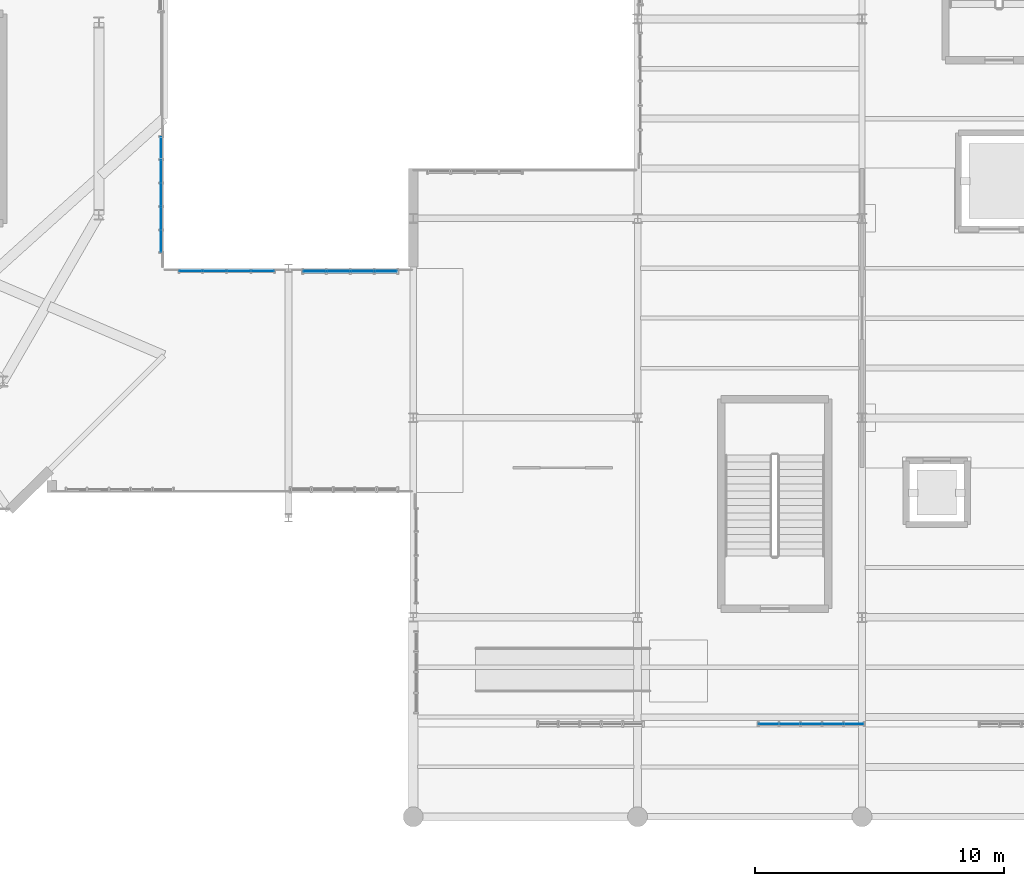
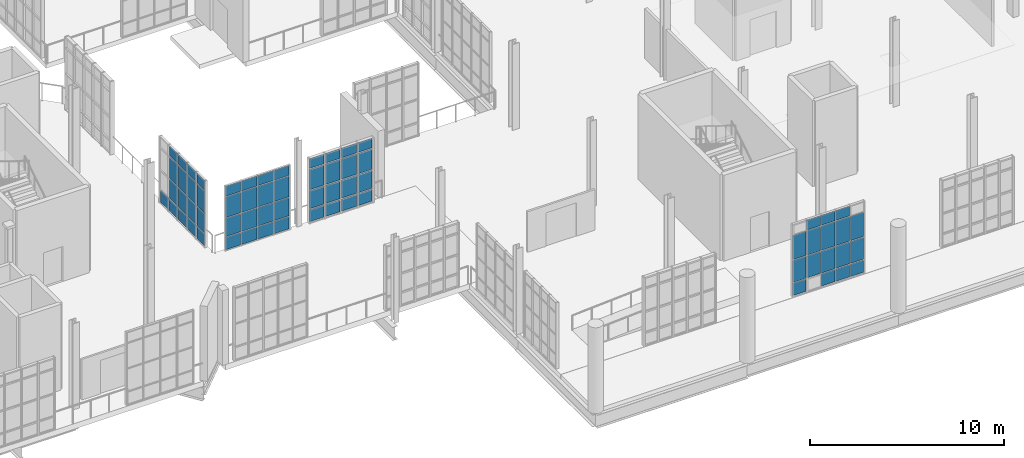
# One storey, part 150 of 189: 66 plates, 4 elements without a shape of their own.
"""IFC4 building model written with IfcOpenShell, lengths in metres."""

from ifc_helpers import new_model, si_unit, direction, frame, origin, origin_2d, place, context, subcontext, project, spatial, rectangle, extrude, material, layer, layer_set, type_object, element, aggregate, save


model = new_model("IFC4")

# Units and contexts
model_context = context("Model", 3, precision=1e-05, world=origin(), true_north=direction((0.0, 1.0)))
body_context = subcontext(model_context, "Body", "Model", "MODEL_VIEW")
ifc_project = project(units=[si_unit("LENGTHUNIT", "METRE"), si_unit("AREAUNIT", "SQUARE_METRE"), si_unit("VOLUMEUNIT", "CUBIC_METRE"), si_unit("PLANEANGLEUNIT", "RADIAN"), si_unit("MASSUNIT", "GRAM", prefix="KILO"), si_unit("THERMODYNAMICTEMPERATUREUNIT", "KELVIN"), si_unit("POWERUNIT", "WATT")], contexts=[model_context])

# Site, building, storey
site_placement = place(None, origin())
site = spatial("IfcSite", under=ifc_project, at=site_placement, CompositionType="ELEMENT")
building_placement = place(site_placement, origin())
building = spatial("IfcBuilding", under=site, at=building_placement, Name="Zelmaris Science Centre", CompositionType="ELEMENT")
storey_placement = place(building_placement, origin())
storey = spatial("IfcBuildingStorey", under=building, at=storey_placement, Name="L00", CompositionType="ELEMENT", Elevation=0.0)

# Curtain wall, plates
ifc_material_1 = material(Name="Anodised architectural aluminium 6063-T6", Category="aluminium")
ifc_layer_1 = layer(ifc_material_1, 0.18994140625, Name="Anodised architectural aluminium 6063-T6")
ifc_layer_set_1 = layer_set([ifc_layer_1], Name="Anodised architectural aluminium 6063-T6")
curtain_wall_type_1 = type_object("IfcCurtainWallType", Name="Curtain Wall CW-01", PredefinedType="USERDEFINED", material=ifc_layer_set_1)
curtain_wall_1_placement = place(storey_placement, origin())
curtain_wall_1 = element("IfcCurtainWall", 1, at=curtain_wall_1_placement, inside=storey, type_object=curtain_wall_type_1, Name="L00 Unitised curtain wall 65", ObjectType="GLAZED CURTAIN WALL", PredefinedType="USERDEFINED")
ifc_material_2 = material(Name="Laminated hurricane-rated low-E insulated glazing", Category="glass")
ifc_layer_2 = layer(ifc_material_2, 0.031982421875, Name="Laminated hurricane-rated low-E insulated glazing")
ifc_layer_set_2 = layer_set([ifc_layer_2], Name="Laminated hurricane-rated low-E insulated glazing")
plate_type_1 = type_object("IfcPlateType", Name="Curtain Glazing Panel CWP-1 32mm", PredefinedType="CURTAIN_PANEL", material=ifc_layer_set_2)
plate_1_placement = place(storey_placement, frame((104.0419921875, 29.882568359375, 0.05712890625), z_axis=(0.0, 0.0, 1.0), x_axis=(0.999999934623, -0.000361598249, 0.0)))
plate_1 = element("IfcPlate", 2, at=plate_1_placement, type_object=plate_type_1, Name="CW-01 panel 1.1", PredefinedType="CURTAIN_PANEL", context=body_context, shape_type="SweptSolid", body=[
    extrude(rectangle(XDim=0.85986328125, YDim=0.031982421875, at=origin_2d()), origin(), (0.0, 0.0, 1.0), 0.741943359375),
])
plate_2_placement = place(storey_placement, frame((104.0419921875, 29.882568359375, 0.870849609375), z_axis=(0.0, 0.0, 1.0), x_axis=(0.999999934623, -0.000361598249, 0.0)))
plate_2 = element("IfcPlate", 3, at=plate_2_placement, type_object=plate_type_1, Name="CW-01 panel 1.2", PredefinedType="CURTAIN_PANEL", context=body_context, shape_type="SweptSolid", body=[
    extrude(rectangle(XDim=0.85986328125, YDim=0.031982421875, at=origin_2d()), origin(), (0.0, 0.0, 1.0), 1.12255859375),
])
plate_3_placement = place(storey_placement, frame((104.0419921875, 29.882568359375, 2.0654296875), z_axis=(0.0, 0.0, 1.0), x_axis=(0.999999934623, -0.000361598249, 0.0)))
plate_3 = element("IfcPlate", 4, at=plate_3_placement, type_object=plate_type_1, Name="CW-01 panel 1.3", PredefinedType="CURTAIN_PANEL", context=body_context, shape_type="SweptSolid", body=[
    extrude(rectangle(XDim=0.85986328125, YDim=0.031982421875, at=origin_2d()), origin(), (0.0, 0.0, 1.0), 1.2724609375),
])
plate_4_placement = place(storey_placement, frame((104.0419921875, 29.882568359375, 3.41015625), z_axis=(0.0, 0.0, 1.0), x_axis=(0.999999934623, -0.000361598249, 0.0)))
plate_4 = element("IfcPlate", 5, at=plate_4_placement, type_object=plate_type_1, Name="CW-01 panel 1.4", PredefinedType="CURTAIN_PANEL", context=body_context, shape_type="SweptSolid", body=[
    extrude(rectangle(XDim=0.85986328125, YDim=0.031982421875, at=origin_2d()), origin(), (0.0, 0.0, 1.0), 0.592041015625),
])
plate_5_placement = place(storey_placement, frame((104.991943359375, 29.882080078125, 0.05712890625), z_axis=(0.0, 0.0, 1.0), x_axis=(0.999999934623, -0.000361598249, 0.0)))
plate_5 = element("IfcPlate", 6, at=plate_5_placement, type_object=plate_type_1, Name="CW-01 panel 2.1", PredefinedType="CURTAIN_PANEL", context=body_context, shape_type="SweptSolid", body=[
    extrude(rectangle(XDim=0.89599609375, YDim=0.031982421875, at=origin_2d()), origin(), (0.0, 0.0, 1.0), 0.741943359375),
])
plate_6_placement = place(storey_placement, frame((104.991943359375, 29.882080078125, 0.870849609375), z_axis=(0.0, 0.0, 1.0), x_axis=(0.999999934623, -0.000361598249, 0.0)))
plate_6 = element("IfcPlate", 7, at=plate_6_placement, type_object=plate_type_1, Name="CW-01 panel 2.2", PredefinedType="CURTAIN_PANEL", context=body_context, shape_type="SweptSolid", body=[
    extrude(rectangle(XDim=0.89599609375, YDim=0.031982421875, at=origin_2d()), origin(), (0.0, 0.0, 1.0), 1.12255859375),
])
plate_7_placement = place(storey_placement, frame((104.991943359375, 29.882080078125, 2.0654296875), z_axis=(0.0, 0.0, 1.0), x_axis=(0.999999934623, -0.000361598249, 0.0)))
plate_7 = element("IfcPlate", 8, at=plate_7_placement, type_object=plate_type_1, Name="CW-01 panel 2.3", PredefinedType="CURTAIN_PANEL", context=body_context, shape_type="SweptSolid", body=[
    extrude(rectangle(XDim=0.89599609375, YDim=0.031982421875, at=origin_2d()), origin(), (0.0, 0.0, 1.0), 1.2724609375),
])
plate_8_placement = place(storey_placement, frame((104.991943359375, 29.882080078125, 3.41015625), z_axis=(0.0, 0.0, 1.0), x_axis=(0.999999934623, -0.000361598249, 0.0)))
plate_8 = element("IfcPlate", 9, at=plate_8_placement, type_object=plate_type_1, Name="CW-01 panel 2.4", PredefinedType="CURTAIN_PANEL", context=body_context, shape_type="SweptSolid", body=[
    extrude(rectangle(XDim=0.89599609375, YDim=0.031982421875, at=origin_2d()), origin(), (0.0, 0.0, 1.0), 0.592041015625),
])
plate_9_placement = place(storey_placement, frame((105.959716796875, 29.8818359375, 0.05712890625), z_axis=(0.0, 0.0, 1.0), x_axis=(0.999999934623, -0.000361598249, 0.0)))
plate_9 = element("IfcPlate", 10, at=plate_9_placement, type_object=plate_type_1, Name="CW-01 panel 3.1", PredefinedType="CURTAIN_PANEL", context=body_context, shape_type="SweptSolid", body=[
    extrude(rectangle(XDim=0.89599609375, YDim=0.031982421875, at=origin_2d()), origin(), (0.0, 0.0, 1.0), 0.741943359375),
])
plate_10_placement = place(storey_placement, frame((105.959716796875, 29.8818359375, 0.870849609375), z_axis=(0.0, 0.0, 1.0), x_axis=(0.999999934623, -0.000361598249, 0.0)))
plate_10 = element("IfcPlate", 11, at=plate_10_placement, type_object=plate_type_1, Name="CW-01 panel 3.2", PredefinedType="CURTAIN_PANEL", context=body_context, shape_type="SweptSolid", body=[
    extrude(rectangle(XDim=0.89599609375, YDim=0.031982421875, at=origin_2d()), origin(), (0.0, 0.0, 1.0), 1.12255859375),
])
plate_11_placement = place(storey_placement, frame((105.959716796875, 29.8818359375, 2.0654296875), z_axis=(0.0, 0.0, 1.0), x_axis=(0.999999934623, -0.000361598249, 0.0)))
plate_11 = element("IfcPlate", 12, at=plate_11_placement, type_object=plate_type_1, Name="CW-01 panel 3.3", PredefinedType="CURTAIN_PANEL", context=body_context, shape_type="SweptSolid", body=[
    extrude(rectangle(XDim=0.89599609375, YDim=0.031982421875, at=origin_2d()), origin(), (0.0, 0.0, 1.0), 1.2724609375),
])
plate_12_placement = place(storey_placement, frame((105.959716796875, 29.8818359375, 3.41015625), z_axis=(0.0, 0.0, 1.0), x_axis=(0.999999934623, -0.000361598249, 0.0)))
plate_12 = element("IfcPlate", 13, at=plate_12_placement, type_object=plate_type_1, Name="CW-01 panel 3.4", PredefinedType="CURTAIN_PANEL", context=body_context, shape_type="SweptSolid", body=[
    extrude(rectangle(XDim=0.89599609375, YDim=0.031982421875, at=origin_2d()), origin(), (0.0, 0.0, 1.0), 0.592041015625),
])
plate_13_placement = place(storey_placement, frame((106.90966796875, 29.881591796875, 0.05712890625), z_axis=(0.0, 0.0, 1.0), x_axis=(0.999999934623, -0.000361598249, 0.0)))
plate_13 = element("IfcPlate", 14, at=plate_13_placement, type_object=plate_type_1, Name="CW-01 panel 4.1", PredefinedType="CURTAIN_PANEL", context=body_context, shape_type="SweptSolid", body=[
    extrude(rectangle(XDim=0.85986328125, YDim=0.031982421875, at=origin_2d()), origin(), (0.0, 0.0, 1.0), 0.741943359375),
])
plate_14_placement = place(storey_placement, frame((106.90966796875, 29.881591796875, 0.870849609375), z_axis=(0.0, 0.0, 1.0), x_axis=(0.999999934623, -0.000361598249, 0.0)))
plate_14 = element("IfcPlate", 15, at=plate_14_placement, type_object=plate_type_1, Name="CW-01 panel 4.2", PredefinedType="CURTAIN_PANEL", context=body_context, shape_type="SweptSolid", body=[
    extrude(rectangle(XDim=0.85986328125, YDim=0.031982421875, at=origin_2d()), origin(), (0.0, 0.0, 1.0), 1.12255859375),
])
plate_15_placement = place(storey_placement, frame((106.90966796875, 29.881591796875, 2.0654296875), z_axis=(0.0, 0.0, 1.0), x_axis=(0.999999934623, -0.000361598249, 0.0)))
plate_15 = element("IfcPlate", 16, at=plate_15_placement, type_object=plate_type_1, Name="CW-01 panel 4.3", PredefinedType="CURTAIN_PANEL", context=body_context, shape_type="SweptSolid", body=[
    extrude(rectangle(XDim=0.85986328125, YDim=0.031982421875, at=origin_2d()), origin(), (0.0, 0.0, 1.0), 1.2724609375),
])
plate_16_placement = place(storey_placement, frame((106.90966796875, 29.881591796875, 3.41015625), z_axis=(0.0, 0.0, 1.0), x_axis=(0.999999934623, -0.000361598249, 0.0)))
plate_16 = element("IfcPlate", 17, at=plate_16_placement, type_object=plate_type_1, Name="CW-01 panel 4.4", PredefinedType="CURTAIN_PANEL", context=body_context, shape_type="SweptSolid", body=[
    extrude(rectangle(XDim=0.85986328125, YDim=0.031982421875, at=origin_2d()), origin(), (0.0, 0.0, 1.0), 0.592041015625),
])
aggregate(curtain_wall_1, [plate_1, plate_2, plate_3, plate_4, plate_5, plate_6, plate_7, plate_8, plate_9, plate_10, plate_11, plate_12, plate_13, plate_14, plate_15, plate_16])

ifc_layer_3 = layer(ifc_material_1, 0.2099609375, Name="Anodised architectural aluminium 6063-T6")
ifc_layer_set_3 = layer_set([ifc_layer_3], Name="Anodised architectural aluminium 6063-T6")
curtain_wall_type_2 = type_object("IfcCurtainWallType", Name="Curtain Wall CW-03", PredefinedType="USERDEFINED", material=ifc_layer_set_3)
curtain_wall_2_placement = place(storey_placement, origin())
curtain_wall_2 = element("IfcCurtainWall", 18, at=curtain_wall_2_placement, inside=storey, type_object=curtain_wall_type_2, Name="L00 Unitised curtain wall 63", ObjectType="GLAZED CURTAIN WALL", PredefinedType="USERDEFINED")
ifc_layer_4 = layer(ifc_material_2, 0.02587890625, Name="Laminated hurricane-rated low-E insulated glazing")
ifc_layer_set_4 = layer_set([ifc_layer_4], Name="Laminated hurricane-rated low-E insulated glazing")
plate_type_2 = type_object("IfcPlateType", Name="Curtain Glazing Panel CWP-3 26mm", PredefinedType="CURTAIN_PANEL", material=ifc_layer_set_4)
plate_17_placement = place(storey_placement, frame((97.8798828125, 34.82177734375, 0.0419921875), z_axis=(0.0, 0.0, 1.0), x_axis=(0.0, -1.0, 0.0)))
plate_17 = element("IfcPlate", 19, at=plate_17_placement, type_object=plate_type_2, Name="CW-03 panel 1.1", PredefinedType="CURTAIN_PANEL", context=body_context, shape_type="SweptSolid", body=[
    extrude(rectangle(XDim=0.85595703125, YDim=0.02587890625, at=origin_2d()), origin(), (0.0, 0.0, 1.0), 0.764404296875),
])
plate_18_placement = place(storey_placement, frame((97.8798828125, 33.894775390625, 0.0419921875), z_axis=(0.0, 0.0, 1.0), x_axis=(0.0, -1.0, 0.0)))
plate_18 = element("IfcPlate", 20, at=plate_18_placement, type_object=plate_type_2, Name="CW-03 panel 2.1", PredefinedType="CURTAIN_PANEL", context=body_context, shape_type="SweptSolid", body=[
    extrude(rectangle(XDim=0.88427734375, YDim=0.02587890625, at=origin_2d()), origin(), (0.0, 0.0, 1.0), 0.764404296875),
])
plate_19_placement = place(storey_placement, frame((97.8798828125, 33.894775390625, 0.863525390625), z_axis=(0.0, 0.0, 1.0), x_axis=(0.0, -1.0, 0.0)))
plate_19 = element("IfcPlate", 21, at=plate_19_placement, type_object=plate_type_2, Name="CW-03 panel 2.2", PredefinedType="CURTAIN_PANEL", context=body_context, shape_type="SweptSolid", body=[
    extrude(rectangle(XDim=0.88427734375, YDim=0.02587890625, at=origin_2d()), origin(), (0.0, 0.0, 1.0), 1.205078125),
])
plate_20_placement = place(storey_placement, frame((97.8798828125, 33.894775390625, 2.12548828125), z_axis=(0.0, 0.0, 1.0), x_axis=(0.0, -1.0, 0.0)))
plate_20 = element("IfcPlate", 22, at=plate_20_placement, type_object=plate_type_2, Name="CW-03 panel 2.3", PredefinedType="CURTAIN_PANEL", context=body_context, shape_type="SweptSolid", body=[
    extrude(rectangle(XDim=0.88427734375, YDim=0.02587890625, at=origin_2d()), origin(), (0.0, 0.0, 1.0), 1.35498046875),
])
plate_21_placement = place(storey_placement, frame((97.8798828125, 33.894775390625, 3.53759765625), z_axis=(0.0, 0.0, 1.0), x_axis=(0.0, -1.0, 0.0)))
plate_21 = element("IfcPlate", 23, at=plate_21_placement, type_object=plate_type_2, Name="CW-03 panel 2.4", PredefinedType="CURTAIN_PANEL", context=body_context, shape_type="SweptSolid", body=[
    extrude(rectangle(XDim=0.88427734375, YDim=0.02587890625, at=origin_2d()), origin(), (0.0, 0.0, 1.0), 0.614501953125),
])
plate_22_placement = place(storey_placement, frame((97.8798828125, 32.953369140625, 0.0419921875), z_axis=(0.0, 0.0, 1.0), x_axis=(0.0, -1.0, 0.0)))
plate_22 = element("IfcPlate", 24, at=plate_22_placement, type_object=plate_type_2, Name="CW-03 panel 3.1", PredefinedType="CURTAIN_PANEL", context=body_context, shape_type="SweptSolid", body=[
    extrude(rectangle(XDim=0.88427734375, YDim=0.02587890625, at=origin_2d()), origin(), (0.0, 0.0, 1.0), 0.764404296875),
])
plate_23_placement = place(storey_placement, frame((97.8798828125, 32.953369140625, 0.863525390625), z_axis=(0.0, 0.0, 1.0), x_axis=(0.0, -1.0, 0.0)))
plate_23 = element("IfcPlate", 25, at=plate_23_placement, type_object=plate_type_2, Name="CW-03 panel 3.2", PredefinedType="CURTAIN_PANEL", context=body_context, shape_type="SweptSolid", body=[
    extrude(rectangle(XDim=0.88427734375, YDim=0.02587890625, at=origin_2d()), origin(), (0.0, 0.0, 1.0), 1.205078125),
])
plate_24_placement = place(storey_placement, frame((97.8798828125, 32.953369140625, 2.12548828125), z_axis=(0.0, 0.0, 1.0), x_axis=(0.0, -1.0, 0.0)))
plate_24 = element("IfcPlate", 26, at=plate_24_placement, type_object=plate_type_2, Name="CW-03 panel 3.3", PredefinedType="CURTAIN_PANEL", context=body_context, shape_type="SweptSolid", body=[
    extrude(rectangle(XDim=0.88427734375, YDim=0.02587890625, at=origin_2d()), origin(), (0.0, 0.0, 1.0), 1.35498046875),
])
plate_25_placement = place(storey_placement, frame((97.8798828125, 32.953369140625, 3.53759765625), z_axis=(0.0, 0.0, 1.0), x_axis=(0.0, -1.0, 0.0)))
plate_25 = element("IfcPlate", 27, at=plate_25_placement, type_object=plate_type_2, Name="CW-03 panel 3.4", PredefinedType="CURTAIN_PANEL", context=body_context, shape_type="SweptSolid", body=[
    extrude(rectangle(XDim=0.88427734375, YDim=0.02587890625, at=origin_2d()), origin(), (0.0, 0.0, 1.0), 0.614501953125),
])
plate_26_placement = place(storey_placement, frame((97.8798828125, 32.011962890625, 0.0419921875), z_axis=(0.0, 0.0, 1.0), x_axis=(0.0, -1.0, 0.0)))
plate_26 = element("IfcPlate", 28, at=plate_26_placement, type_object=plate_type_2, Name="CW-03 panel 4.1", PredefinedType="CURTAIN_PANEL", context=body_context, shape_type="SweptSolid", body=[
    extrude(rectangle(XDim=0.88427734375, YDim=0.02587890625, at=origin_2d()), origin(), (0.0, 0.0, 1.0), 0.764404296875),
])
plate_27_placement = place(storey_placement, frame((97.8798828125, 32.011962890625, 0.863525390625), z_axis=(0.0, 0.0, 1.0), x_axis=(0.0, -1.0, 0.0)))
plate_27 = element("IfcPlate", 29, at=plate_27_placement, type_object=plate_type_2, Name="CW-03 panel 4.2", PredefinedType="CURTAIN_PANEL", context=body_context, shape_type="SweptSolid", body=[
    extrude(rectangle(XDim=0.88427734375, YDim=0.02587890625, at=origin_2d()), origin(), (0.0, 0.0, 1.0), 1.205078125),
])
plate_28_placement = place(storey_placement, frame((97.8798828125, 32.011962890625, 2.12548828125), z_axis=(0.0, 0.0, 1.0), x_axis=(0.0, -1.0, 0.0)))
plate_28 = element("IfcPlate", 30, at=plate_28_placement, type_object=plate_type_2, Name="CW-03 panel 4.3", PredefinedType="CURTAIN_PANEL", context=body_context, shape_type="SweptSolid", body=[
    extrude(rectangle(XDim=0.88427734375, YDim=0.02587890625, at=origin_2d()), origin(), (0.0, 0.0, 1.0), 1.35498046875),
])
plate_29_placement = place(storey_placement, frame((97.8798828125, 32.011962890625, 3.53759765625), z_axis=(0.0, 0.0, 1.0), x_axis=(0.0, -1.0, 0.0)))
plate_29 = element("IfcPlate", 31, at=plate_29_placement, type_object=plate_type_2, Name="CW-03 panel 4.4", PredefinedType="CURTAIN_PANEL", context=body_context, shape_type="SweptSolid", body=[
    extrude(rectangle(XDim=0.88427734375, YDim=0.02587890625, at=origin_2d()), origin(), (0.0, 0.0, 1.0), 0.614501953125),
])
plate_30_placement = place(storey_placement, frame((97.8798828125, 31.0849609375, 0.0419921875), z_axis=(0.0, 0.0, 1.0), x_axis=(0.0, -1.0, 0.0)))
plate_30 = element("IfcPlate", 32, at=plate_30_placement, type_object=plate_type_2, Name="CW-03 panel 5.1", PredefinedType="CURTAIN_PANEL", context=body_context, shape_type="SweptSolid", body=[
    extrude(rectangle(XDim=0.85595703125, YDim=0.02587890625, at=origin_2d()), origin(), (0.0, 0.0, 1.0), 0.764404296875),
])
plate_31_placement = place(storey_placement, frame((97.8798828125, 31.0849609375, 0.863525390625), z_axis=(0.0, 0.0, 1.0), x_axis=(0.0, -1.0, 0.0)))
plate_31 = element("IfcPlate", 33, at=plate_31_placement, type_object=plate_type_2, Name="CW-03 panel 5.2", PredefinedType="CURTAIN_PANEL", context=body_context, shape_type="SweptSolid", body=[
    extrude(rectangle(XDim=0.85595703125, YDim=0.02587890625, at=origin_2d()), origin(), (0.0, 0.0, 1.0), 1.205078125),
])
plate_32_placement = place(storey_placement, frame((97.8798828125, 31.0849609375, 2.12548828125), z_axis=(0.0, 0.0, 1.0), x_axis=(0.0, -1.0, 0.0)))
plate_32 = element("IfcPlate", 34, at=plate_32_placement, type_object=plate_type_2, Name="CW-03 panel 5.3", PredefinedType="CURTAIN_PANEL", context=body_context, shape_type="SweptSolid", body=[
    extrude(rectangle(XDim=0.85595703125, YDim=0.02587890625, at=origin_2d()), origin(), (0.0, 0.0, 1.0), 1.35498046875),
])
plate_33_placement = place(storey_placement, frame((97.8798828125, 31.0849609375, 3.53759765625), z_axis=(0.0, 0.0, 1.0), x_axis=(0.0, -1.0, 0.0)))
plate_33 = element("IfcPlate", 35, at=plate_33_placement, type_object=plate_type_2, Name="CW-03 panel 5.4", PredefinedType="CURTAIN_PANEL", context=body_context, shape_type="SweptSolid", body=[
    extrude(rectangle(XDim=0.85595703125, YDim=0.02587890625, at=origin_2d()), origin(), (0.0, 0.0, 1.0), 0.614501953125),
])
aggregate(curtain_wall_2, [plate_17, plate_18, plate_19, plate_20, plate_21, plate_22, plate_23, plate_24, plate_25, plate_26, plate_27, plate_28, plate_29, plate_30, plate_31, plate_32, plate_33])

curtain_wall_3_placement = place(storey_placement, origin())
curtain_wall_3 = element("IfcCurtainWall", 36, at=curtain_wall_3_placement, inside=storey, type_object=curtain_wall_type_2, Name="L00 Unitised curtain wall 107", ObjectType="GLAZED CURTAIN WALL", PredefinedType="USERDEFINED")
plate_34_placement = place(storey_placement, frame((125.67041015625, 11.72021484375, 0.0419921875), z_axis=(0.0, 0.0, 1.0), x_axis=(-1.0, 0.0, 0.0)))
plate_34 = element("IfcPlate", 37, at=plate_34_placement, type_object=plate_type_2, Name="CW-03 panel 1.1", PredefinedType="CURTAIN_PANEL", context=body_context, shape_type="SweptSolid", body=[
    extrude(rectangle(XDim=0.775146484375, YDim=0.02587890625, at=origin_2d()), origin(), (0.0, 0.0, 1.0), 0.764404296875),
])
plate_35_placement = place(storey_placement, frame((125.67041015625, 11.72021484375, 0.863525390625), z_axis=(0.0, 0.0, 1.0), x_axis=(-1.0, 0.0, 0.0)))
plate_35 = element("IfcPlate", 38, at=plate_35_placement, type_object=plate_type_2, Name="CW-03 panel 1.2", PredefinedType="CURTAIN_PANEL", context=body_context, shape_type="SweptSolid", body=[
    extrude(rectangle(XDim=0.775146484375, YDim=0.02587890625, at=origin_2d()), origin(), (0.0, 0.0, 1.0), 1.3701171875),
])
plate_36_placement = place(storey_placement, frame((125.67041015625, 11.72021484375, 2.29052734375), z_axis=(0.0, 0.0, 1.0), x_axis=(-1.0, 0.0, 0.0)))
plate_36 = element("IfcPlate", 39, at=plate_36_placement, type_object=plate_type_2, Name="CW-03 panel 1.3", PredefinedType="CURTAIN_PANEL", context=body_context, shape_type="SweptSolid", body=[
    extrude(rectangle(XDim=0.775146484375, YDim=0.02587890625, at=origin_2d()), origin(), (0.0, 0.0, 1.0), 1.52001953125),
])
plate_37_placement = place(storey_placement, frame((124.823974609375, 11.72021484375, 0.0419921875), z_axis=(0.0, 0.0, 1.0), x_axis=(-1.0, 0.0, 0.0)))
plate_37 = element("IfcPlate", 40, at=plate_37_placement, type_object=plate_type_2, Name="CW-03 panel 2.1", PredefinedType="CURTAIN_PANEL", context=body_context, shape_type="SweptSolid", body=[
    extrude(rectangle(XDim=0.8037109375, YDim=0.02587890625, at=origin_2d()), origin(), (0.0, 0.0, 1.0), 0.764404296875),
])
plate_38_placement = place(storey_placement, frame((124.823974609375, 11.72021484375, 0.863525390625), z_axis=(0.0, 0.0, 1.0), x_axis=(-1.0, 0.0, 0.0)))
plate_38 = element("IfcPlate", 41, at=plate_38_placement, type_object=plate_type_2, Name="CW-03 panel 2.2", PredefinedType="CURTAIN_PANEL", context=body_context, shape_type="SweptSolid", body=[
    extrude(rectangle(XDim=0.8037109375, YDim=0.02587890625, at=origin_2d()), origin(), (0.0, 0.0, 1.0), 1.3701171875),
])
plate_39_placement = place(storey_placement, frame((124.823974609375, 11.72021484375, 2.29052734375), z_axis=(0.0, 0.0, 1.0), x_axis=(-1.0, 0.0, 0.0)))
plate_39 = element("IfcPlate", 42, at=plate_39_placement, type_object=plate_type_2, Name="CW-03 panel 2.3", PredefinedType="CURTAIN_PANEL", context=body_context, shape_type="SweptSolid", body=[
    extrude(rectangle(XDim=0.8037109375, YDim=0.02587890625, at=origin_2d()), origin(), (0.0, 0.0, 1.0), 1.52001953125),
])
plate_40_placement = place(storey_placement, frame((124.823974609375, 11.72021484375, 3.86767578125), z_axis=(0.0, 0.0, 1.0), x_axis=(-1.0, 0.0, 0.0)))
plate_40 = element("IfcPlate", 43, at=plate_40_placement, type_object=plate_type_2, Name="CW-03 panel 2.4", PredefinedType="CURTAIN_PANEL", context=body_context, shape_type="SweptSolid", body=[
    extrude(rectangle(XDim=0.8037109375, YDim=0.02587890625, at=origin_2d()), origin(), (0.0, 0.0, 1.0), 0.614501953125),
])
plate_41_placement = place(storey_placement, frame((123.963134765625, 11.72021484375, 0.0419921875), z_axis=(0.0, 0.0, 1.0), x_axis=(-1.0, 0.0, 0.0)))
plate_41 = element("IfcPlate", 44, at=plate_41_placement, type_object=plate_type_2, Name="CW-03 panel 3.1", PredefinedType="CURTAIN_PANEL", context=body_context, shape_type="SweptSolid", body=[
    extrude(rectangle(XDim=0.8037109375, YDim=0.02587890625, at=origin_2d()), origin(), (0.0, 0.0, 1.0), 0.764404296875),
])
plate_42_placement = place(storey_placement, frame((123.963134765625, 11.72021484375, 0.863525390625), z_axis=(0.0, 0.0, 1.0), x_axis=(-1.0, 0.0, 0.0)))
plate_42 = element("IfcPlate", 45, at=plate_42_placement, type_object=plate_type_2, Name="CW-03 panel 3.2", PredefinedType="CURTAIN_PANEL", context=body_context, shape_type="SweptSolid", body=[
    extrude(rectangle(XDim=0.8037109375, YDim=0.02587890625, at=origin_2d()), origin(), (0.0, 0.0, 1.0), 1.3701171875),
])
plate_43_placement = place(storey_placement, frame((123.963134765625, 11.72021484375, 2.29052734375), z_axis=(0.0, 0.0, 1.0), x_axis=(-1.0, 0.0, 0.0)))
plate_43 = element("IfcPlate", 46, at=plate_43_placement, type_object=plate_type_2, Name="CW-03 panel 3.3", PredefinedType="CURTAIN_PANEL", context=body_context, shape_type="SweptSolid", body=[
    extrude(rectangle(XDim=0.8037109375, YDim=0.02587890625, at=origin_2d()), origin(), (0.0, 0.0, 1.0), 1.52001953125),
])
plate_44_placement = place(storey_placement, frame((123.963134765625, 11.72021484375, 3.86767578125), z_axis=(0.0, 0.0, 1.0), x_axis=(-1.0, 0.0, 0.0)))
plate_44 = element("IfcPlate", 47, at=plate_44_placement, type_object=plate_type_2, Name="CW-03 panel 3.4", PredefinedType="CURTAIN_PANEL", context=body_context, shape_type="SweptSolid", body=[
    extrude(rectangle(XDim=0.8037109375, YDim=0.02587890625, at=origin_2d()), origin(), (0.0, 0.0, 1.0), 0.614501953125),
])
plate_45_placement = place(storey_placement, frame((123.102294921875, 11.72021484375, 0.863525390625), z_axis=(0.0, 0.0, 1.0), x_axis=(-1.0, 0.0, 0.0)))
plate_45 = element("IfcPlate", 48, at=plate_45_placement, type_object=plate_type_2, Name="CW-03 panel 4.2", PredefinedType="CURTAIN_PANEL", context=body_context, shape_type="SweptSolid", body=[
    extrude(rectangle(XDim=0.8037109375, YDim=0.02587890625, at=origin_2d()), origin(), (0.0, 0.0, 1.0), 1.3701171875),
])
plate_46_placement = place(storey_placement, frame((123.102294921875, 11.72021484375, 2.29052734375), z_axis=(0.0, 0.0, 1.0), x_axis=(-1.0, 0.0, 0.0)))
plate_46 = element("IfcPlate", 49, at=plate_46_placement, type_object=plate_type_2, Name="CW-03 panel 4.3", PredefinedType="CURTAIN_PANEL", context=body_context, shape_type="SweptSolid", body=[
    extrude(rectangle(XDim=0.8037109375, YDim=0.02587890625, at=origin_2d()), origin(), (0.0, 0.0, 1.0), 1.52001953125),
])
plate_47_placement = place(storey_placement, frame((123.102294921875, 11.72021484375, 3.86767578125), z_axis=(0.0, 0.0, 1.0), x_axis=(-1.0, 0.0, 0.0)))
plate_47 = element("IfcPlate", 50, at=plate_47_placement, type_object=plate_type_2, Name="CW-03 panel 4.4", PredefinedType="CURTAIN_PANEL", context=body_context, shape_type="SweptSolid", body=[
    extrude(rectangle(XDim=0.8037109375, YDim=0.02587890625, at=origin_2d()), origin(), (0.0, 0.0, 1.0), 0.614501953125),
])
plate_48_placement = place(storey_placement, frame((122.255859375, 11.72021484375, 0.0419921875), z_axis=(0.0, 0.0, 1.0), x_axis=(-1.0, 0.0, 0.0)))
plate_48 = element("IfcPlate", 51, at=plate_48_placement, type_object=plate_type_2, Name="CW-03 panel 5.1", PredefinedType="CURTAIN_PANEL", context=body_context, shape_type="SweptSolid", body=[
    extrude(rectangle(XDim=0.775146484375, YDim=0.02587890625, at=origin_2d()), origin(), (0.0, 0.0, 1.0), 0.764404296875),
])
plate_49_placement = place(storey_placement, frame((122.255859375, 11.72021484375, 0.863525390625), z_axis=(0.0, 0.0, 1.0), x_axis=(-1.0, 0.0, 0.0)))
plate_49 = element("IfcPlate", 52, at=plate_49_placement, type_object=plate_type_2, Name="CW-03 panel 5.2", PredefinedType="CURTAIN_PANEL", context=body_context, shape_type="SweptSolid", body=[
    extrude(rectangle(XDim=0.775146484375, YDim=0.02587890625, at=origin_2d()), origin(), (0.0, 0.0, 1.0), 1.3701171875),
])
plate_50_placement = place(storey_placement, frame((122.255859375, 11.72021484375, 2.29052734375), z_axis=(0.0, 0.0, 1.0), x_axis=(-1.0, 0.0, 0.0)))
plate_50 = element("IfcPlate", 53, at=plate_50_placement, type_object=plate_type_2, Name="CW-03 panel 5.3", PredefinedType="CURTAIN_PANEL", context=body_context, shape_type="SweptSolid", body=[
    extrude(rectangle(XDim=0.775146484375, YDim=0.02587890625, at=origin_2d()), origin(), (0.0, 0.0, 1.0), 1.52001953125),
])
aggregate(curtain_wall_3, [plate_34, plate_35, plate_36, plate_37, plate_38, plate_39, plate_40, plate_41, plate_42, plate_43, plate_44, plate_45, plate_46, plate_47, plate_48, plate_49, plate_50])

ifc_layer_5 = layer(ifc_material_1, 0.219970703125, Name="Anodised architectural aluminium 6063-T6")
ifc_layer_set_5 = layer_set([ifc_layer_5], Name="Anodised architectural aluminium 6063-T6")
curtain_wall_type_3 = type_object("IfcCurtainWallType", Name="Curtain Wall CW-04", PredefinedType="USERDEFINED", material=ifc_layer_set_5)
curtain_wall_4_placement = place(storey_placement, origin())
curtain_wall_4 = element("IfcCurtainWall", 54, at=curtain_wall_4_placement, inside=storey, type_object=curtain_wall_type_3, Name="L00 Unitised curtain wall 64", ObjectType="GLAZED CURTAIN WALL", PredefinedType="USERDEFINED")
ifc_layer_6 = layer(ifc_material_2, 0.02392578125, Name="Laminated hurricane-rated low-E insulated glazing")
ifc_layer_set_6 = layer_set([ifc_layer_6], Name="Laminated hurricane-rated low-E insulated glazing")
plate_type_3 = type_object("IfcPlateType", Name="Curtain Glazing Panel CWP-4 24mm", PredefinedType="CURTAIN_PANEL", material=ifc_layer_set_6)
plate_51_placement = place(storey_placement, frame((99.075439453125, 29.88427734375, 0.037109375), z_axis=(0.0, 0.0, 1.0), x_axis=(0.999999935003, -0.000360545938, 0.0)))
plate_51 = element("IfcPlate", 55, at=plate_51_placement, type_object=plate_type_3, Name="CW-04 panel 1.1", PredefinedType="CURTAIN_PANEL", context=body_context, shape_type="SweptSolid", body=[
    extrude(rectangle(XDim=0.892822265625, YDim=0.02392578125, at=origin_2d()), origin(), (0.0, 0.0, 1.0), 0.77197265625),
])
plate_52_placement = place(storey_placement, frame((99.075439453125, 29.88427734375, 0.86083984375), z_axis=(0.0, 0.0, 1.0), x_axis=(0.999999935003, -0.000360545938, 0.0)))
plate_52 = element("IfcPlate", 56, at=plate_52_placement, type_object=plate_type_3, Name="CW-04 panel 1.2", PredefinedType="CURTAIN_PANEL", context=body_context, shape_type="SweptSolid", body=[
    extrude(rectangle(XDim=0.892822265625, YDim=0.02392578125, at=origin_2d()), origin(), (0.0, 0.0, 1.0), 1.142578125),
])
plate_53_placement = place(storey_placement, frame((99.075439453125, 29.88427734375, 2.055419921875), z_axis=(0.0, 0.0, 1.0), x_axis=(0.999999935003, -0.000360545938, 0.0)))
plate_53 = element("IfcPlate", 57, at=plate_53_placement, type_object=plate_type_3, Name="CW-04 panel 1.3", PredefinedType="CURTAIN_PANEL", context=body_context, shape_type="SweptSolid", body=[
    extrude(rectangle(XDim=0.892822265625, YDim=0.02392578125, at=origin_2d()), origin(), (0.0, 0.0, 1.0), 1.29248046875),
])
plate_54_placement = place(storey_placement, frame((99.075439453125, 29.88427734375, 3.39990234375), z_axis=(0.0, 0.0, 1.0), x_axis=(0.999999935003, -0.000360545938, 0.0)))
plate_54 = element("IfcPlate", 58, at=plate_54_placement, type_object=plate_type_3, Name="CW-04 panel 1.4", PredefinedType="CURTAIN_PANEL", context=body_context, shape_type="SweptSolid", body=[
    extrude(rectangle(XDim=0.892822265625, YDim=0.02392578125, at=origin_2d()), origin(), (0.0, 0.0, 1.0), 0.6220703125),
])
plate_55_placement = place(storey_placement, frame((100.033203125, 29.8837890625, 0.037109375), z_axis=(0.0, 0.0, 1.0), x_axis=(0.999999935003, -0.000360545938, 0.0)))
plate_55 = element("IfcPlate", 59, at=plate_55_placement, type_object=plate_type_3, Name="CW-04 panel 2.1", PredefinedType="CURTAIN_PANEL", context=body_context, shape_type="SweptSolid", body=[
    extrude(rectangle(XDim=0.918701171875, YDim=0.02392578125, at=origin_2d()), origin(), (0.0, 0.0, 1.0), 0.77197265625),
])
plate_56_placement = place(storey_placement, frame((100.033203125, 29.8837890625, 0.86083984375), z_axis=(0.0, 0.0, 1.0), x_axis=(0.999999935003, -0.000360545938, 0.0)))
plate_56 = element("IfcPlate", 60, at=plate_56_placement, type_object=plate_type_3, Name="CW-04 panel 2.2", PredefinedType="CURTAIN_PANEL", context=body_context, shape_type="SweptSolid", body=[
    extrude(rectangle(XDim=0.918701171875, YDim=0.02392578125, at=origin_2d()), origin(), (0.0, 0.0, 1.0), 1.142578125),
])
plate_57_placement = place(storey_placement, frame((100.033203125, 29.8837890625, 2.055419921875), z_axis=(0.0, 0.0, 1.0), x_axis=(0.999999935003, -0.000360545938, 0.0)))
plate_57 = element("IfcPlate", 61, at=plate_57_placement, type_object=plate_type_3, Name="CW-04 panel 2.3", PredefinedType="CURTAIN_PANEL", context=body_context, shape_type="SweptSolid", body=[
    extrude(rectangle(XDim=0.918701171875, YDim=0.02392578125, at=origin_2d()), origin(), (0.0, 0.0, 1.0), 1.29248046875),
])
plate_58_placement = place(storey_placement, frame((100.033203125, 29.8837890625, 3.39990234375), z_axis=(0.0, 0.0, 1.0), x_axis=(0.999999935003, -0.000360545938, 0.0)))
plate_58 = element("IfcPlate", 62, at=plate_58_placement, type_object=plate_type_3, Name="CW-04 panel 2.4", PredefinedType="CURTAIN_PANEL", context=body_context, shape_type="SweptSolid", body=[
    extrude(rectangle(XDim=0.918701171875, YDim=0.02392578125, at=origin_2d()), origin(), (0.0, 0.0, 1.0), 0.6220703125),
])
plate_59_placement = place(storey_placement, frame((101.00390625, 29.883544921875, 0.037109375), z_axis=(0.0, 0.0, 1.0), x_axis=(0.999999935003, -0.000360545938, 0.0)))
plate_59 = element("IfcPlate", 63, at=plate_59_placement, type_object=plate_type_3, Name="CW-04 panel 3.1", PredefinedType="CURTAIN_PANEL", context=body_context, shape_type="SweptSolid", body=[
    extrude(rectangle(XDim=0.918701171875, YDim=0.02392578125, at=origin_2d()), origin(), (0.0, 0.0, 1.0), 0.77197265625),
])
plate_60_placement = place(storey_placement, frame((101.00390625, 29.883544921875, 0.86083984375), z_axis=(0.0, 0.0, 1.0), x_axis=(0.999999935003, -0.000360545938, 0.0)))
plate_60 = element("IfcPlate", 64, at=plate_60_placement, type_object=plate_type_3, Name="CW-04 panel 3.2", PredefinedType="CURTAIN_PANEL", context=body_context, shape_type="SweptSolid", body=[
    extrude(rectangle(XDim=0.918701171875, YDim=0.02392578125, at=origin_2d()), origin(), (0.0, 0.0, 1.0), 1.142578125),
])
plate_61_placement = place(storey_placement, frame((101.00390625, 29.883544921875, 2.055419921875), z_axis=(0.0, 0.0, 1.0), x_axis=(0.999999935003, -0.000360545938, 0.0)))
plate_61 = element("IfcPlate", 65, at=plate_61_placement, type_object=plate_type_3, Name="CW-04 panel 3.3", PredefinedType="CURTAIN_PANEL", context=body_context, shape_type="SweptSolid", body=[
    extrude(rectangle(XDim=0.918701171875, YDim=0.02392578125, at=origin_2d()), origin(), (0.0, 0.0, 1.0), 1.29248046875),
])
plate_62_placement = place(storey_placement, frame((101.00390625, 29.883544921875, 3.39990234375), z_axis=(0.0, 0.0, 1.0), x_axis=(0.999999935003, -0.000360545938, 0.0)))
plate_62 = element("IfcPlate", 66, at=plate_62_placement, type_object=plate_type_3, Name="CW-04 panel 3.4", PredefinedType="CURTAIN_PANEL", context=body_context, shape_type="SweptSolid", body=[
    extrude(rectangle(XDim=0.918701171875, YDim=0.02392578125, at=origin_2d()), origin(), (0.0, 0.0, 1.0), 0.6220703125),
])
plate_63_placement = place(storey_placement, frame((101.961669921875, 29.88330078125, 0.037109375), z_axis=(0.0, 0.0, 1.0), x_axis=(0.999999935003, -0.000360545938, 0.0)))
plate_63 = element("IfcPlate", 67, at=plate_63_placement, type_object=plate_type_3, Name="CW-04 panel 4.1", PredefinedType="CURTAIN_PANEL", context=body_context, shape_type="SweptSolid", body=[
    extrude(rectangle(XDim=0.892822265625, YDim=0.02392578125, at=origin_2d()), origin(), (0.0, 0.0, 1.0), 0.77197265625),
])
plate_64_placement = place(storey_placement, frame((101.961669921875, 29.88330078125, 0.86083984375), z_axis=(0.0, 0.0, 1.0), x_axis=(0.999999935003, -0.000360545938, 0.0)))
plate_64 = element("IfcPlate", 68, at=plate_64_placement, type_object=plate_type_3, Name="CW-04 panel 4.2", PredefinedType="CURTAIN_PANEL", context=body_context, shape_type="SweptSolid", body=[
    extrude(rectangle(XDim=0.892822265625, YDim=0.02392578125, at=origin_2d()), origin(), (0.0, 0.0, 1.0), 1.142578125),
])
plate_65_placement = place(storey_placement, frame((101.961669921875, 29.88330078125, 2.055419921875), z_axis=(0.0, 0.0, 1.0), x_axis=(0.999999935003, -0.000360545938, 0.0)))
plate_65 = element("IfcPlate", 69, at=plate_65_placement, type_object=plate_type_3, Name="CW-04 panel 4.3", PredefinedType="CURTAIN_PANEL", context=body_context, shape_type="SweptSolid", body=[
    extrude(rectangle(XDim=0.892822265625, YDim=0.02392578125, at=origin_2d()), origin(), (0.0, 0.0, 1.0), 1.29248046875),
])
plate_66_placement = place(storey_placement, frame((101.961669921875, 29.88330078125, 3.39990234375), z_axis=(0.0, 0.0, 1.0), x_axis=(0.999999935003, -0.000360545938, 0.0)))
plate_66 = element("IfcPlate", 70, at=plate_66_placement, type_object=plate_type_3, Name="CW-04 panel 4.4", PredefinedType="CURTAIN_PANEL", context=body_context, shape_type="SweptSolid", body=[
    extrude(rectangle(XDim=0.892822265625, YDim=0.02392578125, at=origin_2d()), origin(), (0.0, 0.0, 1.0), 0.6220703125),
])
aggregate(curtain_wall_4, [plate_51, plate_52, plate_53, plate_54, plate_55, plate_56, plate_57, plate_58, plate_59, plate_60, plate_61, plate_62, plate_63, plate_64, plate_65, plate_66])

save(model, "model.ifc")
